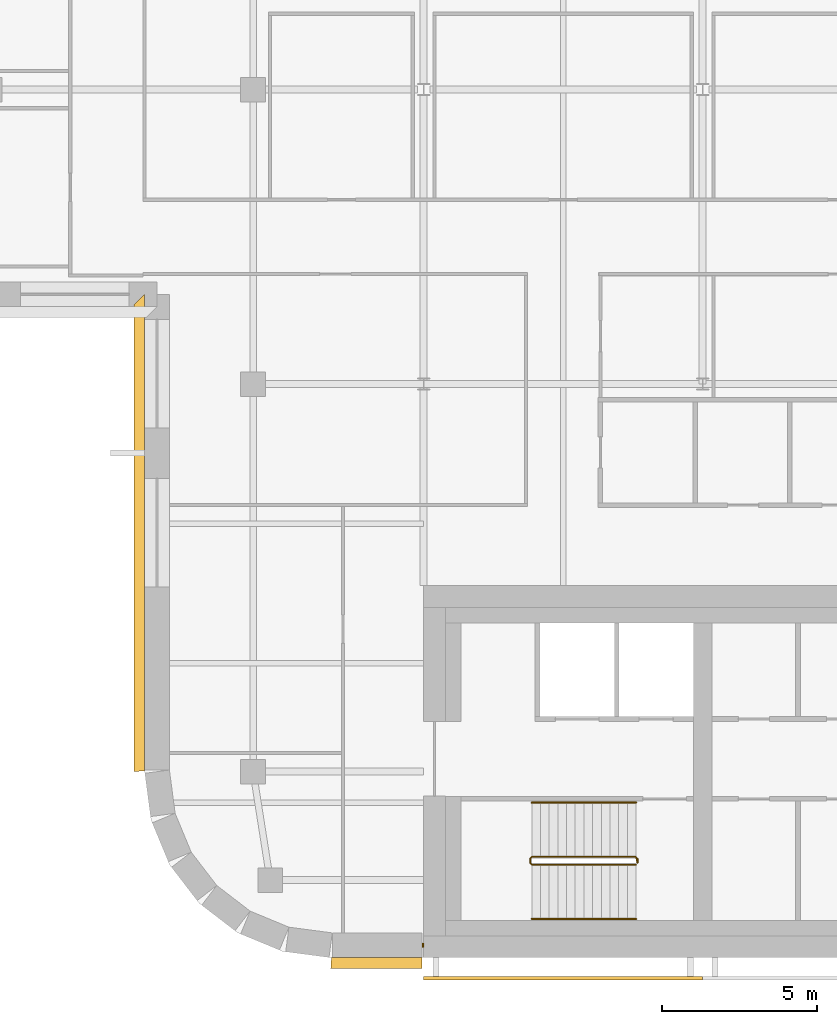
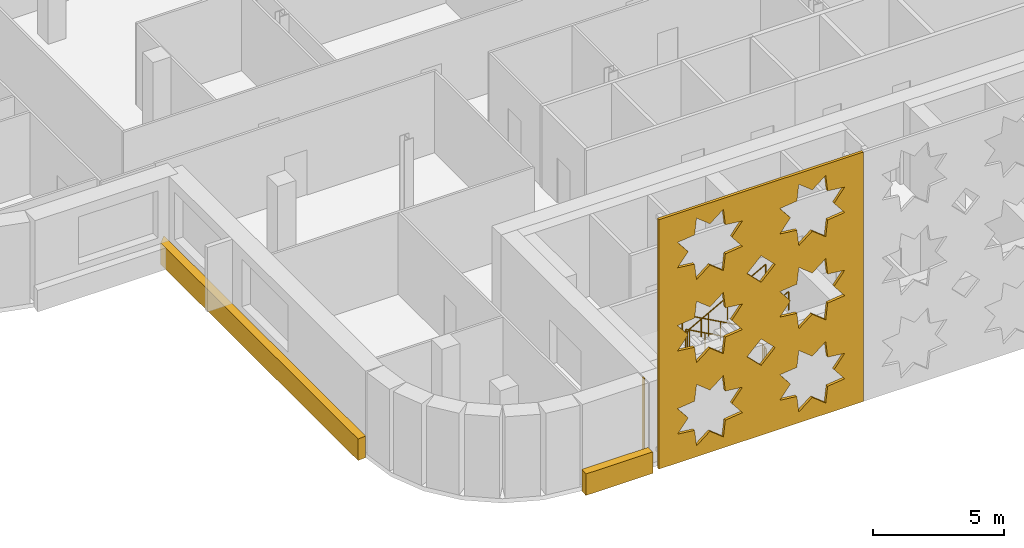
# One storey, part 14 of 18: 4 coverings, 3 railings.
"""IFC4 building model written with IfcOpenShell, lengths in metres."""

from ifc_helpers import new_model, si_unit, direction, frame, origin, origin_2d, place, context, subcontext, project, spatial, polyline, rectangle, circle, outline, extrude, material, layer, layer_set, type_object, element, save


model = new_model("IFC4")

# Units and contexts
model_context = context("Model", 3, precision=1e-05, world=origin(), true_north=direction((0.0, 1.0)))
body_context = subcontext(model_context, "Body", "Model", "MODEL_VIEW")
ifc_project = project(units=[si_unit("LENGTHUNIT", "METRE"), si_unit("AREAUNIT", "SQUARE_METRE"), si_unit("VOLUMEUNIT", "CUBIC_METRE"), si_unit("PLANEANGLEUNIT", "RADIAN"), si_unit("MASSUNIT", "GRAM", prefix="KILO")], contexts=[model_context])

# Site, building, storey
site_placement = place(None, origin())
site = spatial("IfcSite", under=ifc_project, at=site_placement, CompositionType="ELEMENT")
building_placement = place(site_placement, origin())
building = spatial("IfcBuilding", under=site, at=building_placement, Name="Zellij Exchange Tower", CompositionType="ELEMENT")
storey_placement = place(building_placement, frame((0.0, 0.0, 228.5)))
storey = spatial("IfcBuildingStorey", under=building, at=storey_placement, Name="L53", CompositionType="ELEMENT", Elevation=228.5)

# Railings
ifc_material_1 = material(Name="Stainless steel", Category="steel")
railing_type_1 = type_object("IfcRailingType", Name="CORE-RG stair guard", PredefinedType="GUARDRAIL", material=ifc_material_1)
railing_1_placement = place(storey_placement, frame((-20.10009765625, -10.800048828125, 0.0)))
element("IfcRailing", 1, at=railing_1_placement, inside=storey, type_object=railing_type_1, Name="ST1 stair guard L53", PredefinedType="GUARDRAIL", context=body_context, shape_type="SweptSolid", body=[
    extrude(circle(Radius=0.02392578125, at=origin_2d()), frame((0.0, 0.0, 1.076171875), z_axis=(0.0, -1.0, 0.0), x_axis=(1.0, 0.0, 0.0)), (0.0, 0.0, 1.0), 0.14990234375),
    extrude(circle(Radius=0.02392578125, at=origin_2d()), frame((0.0, -0.14990234375, 1.076171875), z_axis=(-0.193691321961, 0.777613689637, 0.598164376644), x_axis=(-0.970351222016, -0.241699205484, 0.0)), (0.0, 0.0, 1.0), 0.257080078125),
    extrude(circle(Radius=0.02392578125, at=origin_2d()), frame((-0.0498046875, 0.050048828125, 1.22998046875), z_axis=(-0.876421534553, 0.0, 0.481544695509), x_axis=(0.0, -1.0, 0.0)), (0.0, 0.0, 1.0), 3.833984375),
    extrude(circle(Radius=0.02392578125, at=origin_2d()), frame((-3.409912109375, 0.050048828125, 3.076171875), z_axis=(-0.707106781187, -0.707106781187, 0.0), x_axis=(0.707106781187, -0.707106781187, 0.0)), (0.0, 0.0, 1.0), 0.07080078125),
    extrude(circle(Radius=0.02392578125, at=origin_2d()), frame((-3.4599609375, 0.0, 3.076171875), z_axis=(0.0, -1.0, 0.0), x_axis=(1.0, 0.0, 0.0)), (0.0, 0.0, 1.0), 0.14990234375),
    extrude(circle(Radius=0.02392578125, at=origin_2d()), frame((-3.4599609375, -0.14990234375, 3.076171875), z_axis=(0.295599637079, -0.295599637079, 0.908428152975), x_axis=(0.707106781187, 0.707106781187, 0.0)), (0.0, 0.0, 1.0), 0.16943359375),
    extrude(circle(Radius=0.02392578125, at=origin_2d()), frame((-3.409912109375, -0.199951171875, 3.22998046875), z_axis=(0.876421534553, 0.0, 0.481544695509), x_axis=(0.0, 1.0, 0.0)), (0.0, 0.0, 1.0), 3.833984375),
    extrude(circle(Radius=0.02099609375, at=origin_2d()), origin(), (0.0, 0.0, 1.0), 1.052001953125),
    extrude(circle(Radius=0.02099609375, at=origin_2d()), frame((0.0, -0.14990234375, 0.0)), (0.0, 0.0, 1.0), 1.052001953125),
    extrude(circle(Radius=0.02099609375, at=origin_2d()), frame((-0.0498046875, 0.050048828125, 0.15380859375)), (0.0, 0.0, 1.0), 1.052001953125),
    extrude(circle(Radius=0.02099609375, at=origin_2d()), frame((-0.889892578125, 0.050048828125, 0.615234375)), (0.0, 0.0, 1.0), 1.052001953125),
    extrude(circle(Radius=0.02099609375, at=origin_2d()), frame((-1.72998046875, 0.050048828125, 1.076904296875)), (0.0, 0.0, 1.0), 1.052001953125),
    extrude(circle(Radius=0.02099609375, at=origin_2d()), frame((-2.56982421875, 0.050048828125, 1.53857421875)), (0.0, 0.0, 1.0), 1.052001953125),
    extrude(circle(Radius=0.02099609375, at=origin_2d()), frame((-3.409912109375, 0.050048828125, 2.0)), (0.0, 0.0, 1.0), 1.052001953125),
    extrude(circle(Radius=0.02099609375, at=origin_2d()), frame((-3.4599609375, 0.0, 2.0)), (0.0, 0.0, 1.0), 1.052001953125),
    extrude(circle(Radius=0.02099609375, at=origin_2d()), frame((-3.4599609375, -0.14990234375, 2.0)), (0.0, 0.0, 1.0), 1.052001953125),
    extrude(circle(Radius=0.02099609375, at=origin_2d()), frame((-3.409912109375, -0.199951171875, 2.15380859375)), (0.0, 0.0, 1.0), 1.052001953125),
    extrude(circle(Radius=0.02099609375, at=origin_2d()), frame((-2.56982421875, -0.199951171875, 2.615234375)), (0.0, 0.0, 1.0), 1.052001953125),
    extrude(circle(Radius=0.02099609375, at=origin_2d()), frame((-1.72998046875, -0.199951171875, 3.076904296875)), (0.0, 0.0, 1.0), 1.052001953125),
    extrude(circle(Radius=0.02099609375, at=origin_2d()), frame((-0.889892578125, -0.199951171875, 3.53857421875)), (0.0, 0.0, 1.0), 1.052001953125),
    extrude(circle(Radius=0.02099609375, at=origin_2d()), frame((-0.0498046875, -0.199951171875, 4.0)), (0.0, 0.0, 1.0), 1.052001953125),
])
railing_type_2 = type_object("IfcRailingType", Name="CORE-RH stair handrail", PredefinedType="HANDRAIL", material=ifc_material_1)
railing_2_placement = place(storey_placement, frame((-20.14990234375, -9.0, 0.15380859375)))
element("IfcRailing", 2, at=railing_2_placement, inside=storey, type_object=railing_type_2, Name="ST1 stair handrail L53", PredefinedType="HANDRAIL", context=body_context, shape_type="SweptSolid", body=[
    extrude(circle(Radius=0.02392578125, at=origin_2d()), frame((0.0, 0.0, 0.8759765625), z_axis=(-0.876421534553, 0.0, 0.481544695509), x_axis=(0.0, -1.0, 0.0)), (0.0, 0.0, 1.0), 3.833984375),
    extrude(circle(Radius=0.02099609375, at=origin_2d()), origin(), (0.0, 0.0, 1.0), 0.851806640625),
    extrude(circle(Radius=0.02099609375, at=origin_2d()), frame((-0.840087890625, 0.0, 0.46142578125)), (0.0, 0.0, 1.0), 0.851806640625),
    extrude(circle(Radius=0.02099609375, at=origin_2d()), frame((-1.68017578125, 0.0, 0.923095703125)), (0.0, 0.0, 1.0), 0.851806640625),
    extrude(circle(Radius=0.02099609375, at=origin_2d()), frame((-2.52001953125, 0.0, 1.384765625)), (0.0, 0.0, 1.0), 0.851806640625),
    extrude(circle(Radius=0.02099609375, at=origin_2d()), frame((-3.360107421875, 0.0, 1.84619140625)), (0.0, 0.0, 1.0), 0.851806640625),
])
railing_3_placement = place(storey_placement, frame((-23.510009765625, -12.75, 2.15380859375)))
element("IfcRailing", 3, at=railing_3_placement, inside=storey, type_object=railing_type_2, Name="ST1 stair handrail L53", PredefinedType="HANDRAIL", context=body_context, shape_type="SweptSolid", body=[
    extrude(circle(Radius=0.02392578125, at=origin_2d()), frame((0.0, 0.0, 0.8759765625), z_axis=(0.876421534553, 0.0, 0.481544695509), x_axis=(0.0, 1.0, 0.0)), (0.0, 0.0, 1.0), 3.833984375),
    extrude(circle(Radius=0.02099609375, at=origin_2d()), origin(), (0.0, 0.0, 1.0), 0.851806640625),
    extrude(circle(Radius=0.02099609375, at=origin_2d()), frame((0.840087890625, 0.0, 0.46142578125)), (0.0, 0.0, 1.0), 0.851806640625),
    extrude(circle(Radius=0.02099609375, at=origin_2d()), frame((1.68017578125, 0.0, 0.923095703125)), (0.0, 0.0, 1.0), 0.851806640625),
    extrude(circle(Radius=0.02099609375, at=origin_2d()), frame((2.52001953125, 0.0, 1.384765625)), (0.0, 0.0, 1.0), 0.851806640625),
    extrude(circle(Radius=0.02099609375, at=origin_2d()), frame((3.360107421875, 0.0, 1.84619140625)), (0.0, 0.0, 1.0), 0.851806640625),
])

# Coverings
ifc_material_2 = material(Name="Limestone cladding", Category="masonry")
ifc_layer_1 = layer(ifc_material_2, 0.35009765625)
ifc_layer_set_1 = layer_set([ifc_layer_1], Name="Limestone cladding")
covering_type_1 = type_object("IfcCoveringType", Name="ENV-CV10 Stone spandrel band 350", PredefinedType="CLADDING", material=ifc_layer_set_1)
covering_1_placement = place(storey_placement, frame((0.0, 0.0, -0.199951171875)))
element("IfcCovering", 4, at=covering_1_placement, inside=storey, type_object=covering_type_1, Name="Stone spandrel band", PredefinedType="CLADDING", context=body_context, shape_type="SweptSolid", body=[
    extrude(outline(polyline([(-29.973876953125, -14.0), (-27.050048828125, -14.0), (-27.050048828125, -14.35009765625), (-29.99658203125, -14.35009765625), (-29.973876953125, -14.0)])), origin(), (0.0, 0.0, 1.0), 1.0),
])
covering_2_placement = place(storey_placement, frame((0.0, 0.0, -0.199951171875)))
element("IfcCovering", 5, at=covering_2_placement, inside=storey, type_object=covering_type_1, Name="Stone spandrel band", PredefinedType="CLADDING", context=body_context, shape_type="SweptSolid", body=[
    extrude(outline(polyline([(-36.0, 7.39990234375), (-36.0, -7.973876953125), (-36.35009765625, -7.99658203125), (-36.35009765625, 7.050048828125), (-36.0, 7.39990234375)])), origin(), (0.0, 0.0, 1.0), 1.0),
])
ifc_layer_2 = layer(ifc_material_2, 0.1201171875)
ifc_layer_set_2 = layer_set([ifc_layer_2], Name="Limestone cladding")
covering_type_2 = type_object("IfcCoveringType", Name="ENV-CV18 Glazing closer 120", PredefinedType="CLADDING", material=ifc_layer_set_2)
covering_3_placement = place(storey_placement, frame((-27.02490234375, -13.60009765625, 0.0), z_axis=(0.0, 0.0, 1.0), x_axis=(1.0, 0.0, 0.0)))
element("IfcCovering", 6, at=covering_3_placement, inside=storey, type_object=covering_type_2, Name="Glazing closer", PredefinedType="CLADDING", context=body_context, shape_type="SweptSolid", body=[
    extrude(rectangle(XDim=0.050048828125, YDim=0.1201171875, at=origin_2d()), origin(), (0.0, 0.0, 1.0), 3.800048828125),
])
ifc_material_3 = material(Name="Limestone screen", Category="masonry")
ifc_layer_3 = layer(ifc_material_3, 0.1201171875)
ifc_layer_set_3 = layer_set([ifc_layer_3], Name="Limestone screen")
covering_type_3 = type_object("IfcCoveringType", Name="ENV-SC5 Pierced stone relief 120", PredefinedType="USERDEFINED", material=ifc_layer_set_3)
covering_4_placement = place(storey_placement, frame((-27.0, -14.659912109375, 0.199951171875), z_axis=(0.0, 0.0, 1.0), x_axis=(1.0, 0.0, 0.0)))
element("IfcCovering", 7, at=covering_4_placement, inside=storey, type_object=covering_type_3, Name="Pierced stone relief", ObjectType="SCREEN", PredefinedType="USERDEFINED", context=body_context, shape_type="SweptSolid", body=[
    extrude(outline(polyline([(0.0, 0.0), (9.0, 0.0), (9.0, 11.60009765625), (0.0, 11.60009765625), (0.0, 0.0)]), holes=[polyline([(3.678955078125, 2.525146484375), (2.927978515625, 2.611328125), (2.841796875, 3.3623046875), (2.25, 2.892333984375), (1.658203125, 3.3623046875), (1.572021484375, 2.611328125), (0.821044921875, 2.525146484375), (1.291015625, 1.933349609375), (0.821044921875, 1.34130859375), (1.572021484375, 1.25537109375), (1.658203125, 0.50439453125), (2.25, 0.974365234375), (2.841796875, 0.50439453125), (2.927978515625, 1.25537109375), (3.678955078125, 1.34130859375), (3.208984375, 1.933349609375), (3.678955078125, 2.525146484375)]), polyline([(3.678955078125, 6.391845703125), (2.927978515625, 6.47802734375), (2.841796875, 7.22900390625), (2.25, 6.7587890625), (1.658203125, 7.22900390625), (1.572021484375, 6.47802734375), (0.821044921875, 6.391845703125), (1.291015625, 5.800048828125), (0.821044921875, 5.2080078125), (1.572021484375, 5.121826171875), (1.658203125, 4.37109375), (2.25, 4.841064453125), (2.841796875, 4.37109375), (2.927978515625, 5.121826171875), (3.678955078125, 5.2080078125), (3.208984375, 5.800048828125), (3.678955078125, 6.391845703125)]), polyline([(3.678955078125, 10.258544921875), (2.927978515625, 10.3447265625), (2.841796875, 11.095703125), (2.25, 10.62548828125), (1.658203125, 11.095703125), (1.572021484375, 10.3447265625), (0.821044921875, 10.258544921875), (1.291015625, 9.666748046875), (0.821044921875, 9.07470703125), (1.572021484375, 8.988525390625), (1.658203125, 8.23779296875), (2.25, 8.707763671875), (2.841796875, 8.23779296875), (2.927978515625, 8.988525390625), (3.678955078125, 9.07470703125), (3.208984375, 9.666748046875), (3.678955078125, 10.258544921875)]), polyline([(8.178955078125, 2.525146484375), (7.427978515625, 2.611328125), (7.341796875, 3.3623046875), (6.75, 2.892333984375), (6.158203125, 3.3623046875), (6.072021484375, 2.611328125), (5.321044921875, 2.525146484375), (5.791015625, 1.933349609375), (5.321044921875, 1.34130859375), (6.072021484375, 1.25537109375), (6.158203125, 0.50439453125), (6.75, 0.974365234375), (7.341796875, 0.50439453125), (7.427978515625, 1.25537109375), (8.178955078125, 1.34130859375), (7.708984375, 1.933349609375), (8.178955078125, 2.525146484375)]), polyline([(8.178955078125, 6.391845703125), (7.427978515625, 6.47802734375), (7.341796875, 7.22900390625), (6.75, 6.7587890625), (6.158203125, 7.22900390625), (6.072021484375, 6.47802734375), (5.321044921875, 6.391845703125), (5.791015625, 5.800048828125), (5.321044921875, 5.2080078125), (6.072021484375, 5.121826171875), (6.158203125, 4.37109375), (6.75, 4.841064453125), (7.341796875, 4.37109375), (7.427978515625, 5.121826171875), (8.178955078125, 5.2080078125), (7.708984375, 5.800048828125), (8.178955078125, 6.391845703125)]), polyline([(8.178955078125, 10.258544921875), (7.427978515625, 10.3447265625), (7.341796875, 11.095703125), (6.75, 10.62548828125), (6.158203125, 11.095703125), (6.072021484375, 10.3447265625), (5.321044921875, 10.258544921875), (5.791015625, 9.666748046875), (5.321044921875, 9.07470703125), (6.072021484375, 8.988525390625), (6.158203125, 8.23779296875), (6.75, 8.707763671875), (7.341796875, 8.23779296875), (7.427978515625, 8.988525390625), (8.178955078125, 9.07470703125), (7.708984375, 9.666748046875), (8.178955078125, 10.258544921875)]), polyline([(5.11865234375, 3.86669921875), (4.5, 4.4853515625), (3.88134765625, 3.86669921875), (4.5, 3.248046875), (5.11865234375, 3.86669921875)]), polyline([(5.11865234375, 7.7333984375), (4.5, 8.35205078125), (3.88134765625, 7.7333984375), (4.5, 7.11474609375), (5.11865234375, 7.7333984375)])]), frame((0.0, 0.06005859375, 0.0), z_axis=(0.0, -1.0, 0.0), x_axis=(1.0, 0.0, 0.0)), (0.0, 0.0, 1.0), 0.1201171875),
])

save(model, "model.ifc")
